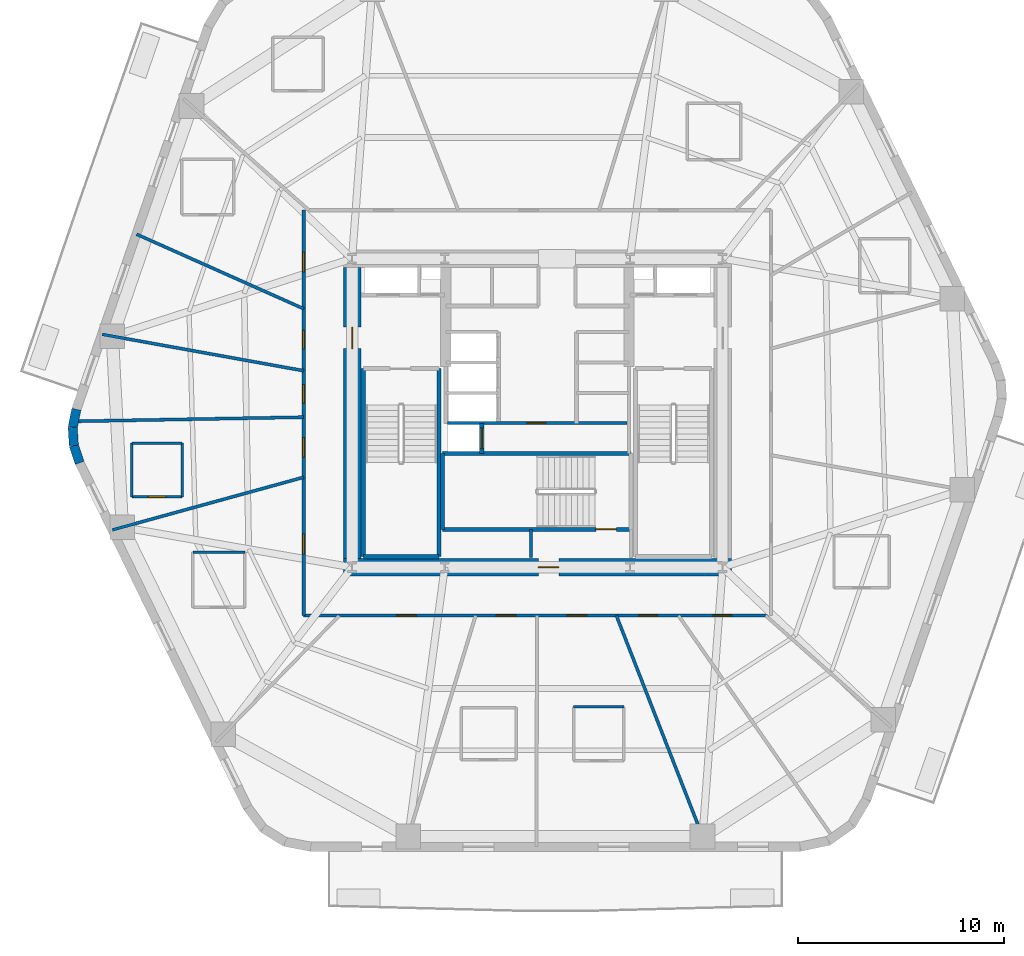
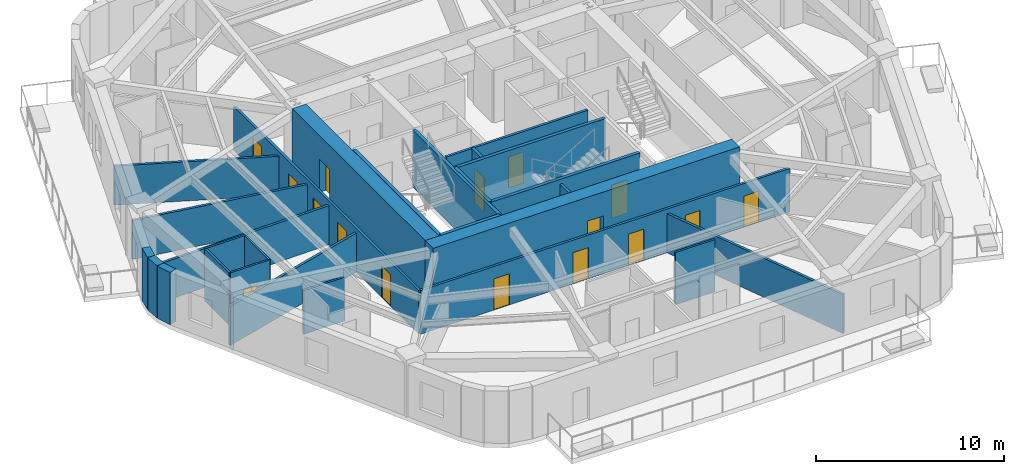
# One storey, part 3 of 8: 27 walls, 16 doors, 16 openings.
"""IFC4 building model written with IfcOpenShell, lengths in metres."""

from ifc_helpers import new_model, si_unit, direction, frame, frame_2d, origin, place, context, subcontext, project, spatial, rectangle, extrude, material, layer, layer_set, type_object, element, fill, save


model = new_model("IFC4")

# Units and contexts
model_context = context("Model", 3, precision=1e-05, world=origin(), true_north=direction((0.0, 1.0)))
body_context = subcontext(model_context, "Body", "Model", "MODEL_VIEW")
ifc_project = project(units=[si_unit("LENGTHUNIT", "METRE"), si_unit("AREAUNIT", "SQUARE_METRE"), si_unit("VOLUMEUNIT", "CUBIC_METRE"), si_unit("PLANEANGLEUNIT", "RADIAN"), si_unit("MASSUNIT", "GRAM", prefix="KILO")], contexts=[model_context])

# Site, building, storey
site_placement = place(None, origin())
site = spatial("IfcSite", under=ifc_project, at=site_placement, CompositionType="ELEMENT")
building_placement = place(site_placement, origin())
building = spatial("IfcBuilding", under=site, at=building_placement, Name="Kilnhurst Terrace Hotel", CompositionType="ELEMENT")
storey_placement = place(building_placement, frame((0.0, 0.0, 109.89990234375)))
storey = spatial("IfcBuildingStorey", under=building, at=storey_placement, Name="L26", CompositionType="ELEMENT", Elevation=109.89990234375)

# Walls
ifc_material_1 = material(Name="Precast concrete C40/50", Category="concrete")
ifc_layer_1 = layer(ifc_material_1, 0.449951171875, Name="Precast concrete C40/50")
ifc_layer_set_1 = layer_set([ifc_layer_1], Name="Precast concrete C40/50")
wall_type_1 = type_object("IfcWallType", Name="WL-BRK-450", PredefinedType="SOLIDWALL", material=ifc_layer_set_1)
wall_1_placement = place(storey_placement, frame((-22.39697265625, 0.17919921875, 0.0), z_axis=(0.0, 0.0, 1.0), x_axis=(-0.199313589404, -0.979935759669, 0.0)))
element("IfcWall", 1, at=wall_1_placement, inside=storey, type_object=wall_type_1, Name="L26 Rounded Corner Brick Wall C6.1", PredefinedType="SOLIDWALL", context=body_context, shape_type="SweptSolid", body=[
    extrude(rectangle(XDim=0.8955078125, YDim=0.449951171875, at=frame_2d((0.44775390625, 0.0))), origin(), (0.0, 0.0, 1.0), 3.400146484375),
])
wall_2_placement = place(storey_placement, frame((-22.575439453125, -0.6982421875, 0.0), z_axis=(0.0, 0.0, 1.0), x_axis=(0.060980441946, -0.998138961117, 0.0)))
element("IfcWall", 2, at=wall_2_placement, inside=storey, type_object=wall_type_1, Name="L26 Rounded Corner Brick Wall C6.2", PredefinedType="SOLIDWALL", context=body_context, shape_type="SweptSolid", body=[
    extrude(rectangle(XDim=0.880859375, YDim=0.449951171875, at=frame_2d((0.4404296875, 0.0))), origin(), (0.0, 0.0, 1.0), 3.400146484375),
])
wall_3_placement = place(storey_placement, frame((-22.521728515625, -1.577392578125, 0.0), z_axis=(0.0, 0.0, 1.0), x_axis=(0.317372694837, -0.948300887151, 0.0)))
element("IfcWall", 3, at=wall_3_placement, inside=storey, type_object=wall_type_1, Name="L26 Rounded Corner Brick Wall C6.3", PredefinedType="SOLIDWALL", context=body_context, shape_type="SweptSolid", body=[
    extrude(rectangle(XDim=0.8955078125, YDim=0.449951171875, at=frame_2d((0.44775390625, 0.0))), origin(), (0.0, 0.0, 1.0), 3.400146484375),
])

# Wall, openings, doors
ifc_material_2 = material(Name="Acoustic Double-Gypsum Corridor Partition Assembly")
ifc_layer_2 = layer(ifc_material_2, 0.14990234375, Name="Acoustic Double-Gypsum Corridor Partition Assembly")
ifc_layer_set_2 = layer_set([ifc_layer_2], Name="Acoustic Double-Gypsum Corridor Partition Assembly")
wall_type_2 = type_object("IfcWallType", Name="WL-COR-150", PredefinedType="PARTITIONING", material=ifc_layer_set_2)
wall_4_placement = place(storey_placement, frame((-11.35009765625, -9.85009765625, 0.0), z_axis=(0.0, 0.0, 1.0), x_axis=(0.0, 1.0, 0.0)))
wall_4 = element("IfcWall", 4, at=wall_4_placement, inside=storey, type_object=wall_type_2, Name="L26 Interior Wall WL-L26-COR-01", PredefinedType="PARTITIONING", context=body_context, shape_type="SweptSolid", body=[
    extrude(rectangle(XDim=19.7001953125, YDim=0.14990234375, at=frame_2d((9.85009765625, 0.0))), origin(), (0.0, 0.0, 1.0), 2.840087890625),
])
opening_1_placement = place(wall_4_placement, frame((16.7109375, 0.0, 0.0)))
opening_1 = element("IfcOpeningElement", 5, at=opening_1_placement, cuts=wall_4, Name="Opening D-60B", PredefinedType="OPENING", context=body_context, shape_type="SweptSolid", body=[
    extrude(rectangle(XDim=0.949951171875, YDim=2.030029296875, at=frame_2d((0.47509765625, 1.01513671875))), frame((0.0, 0.0849609375, 0.0), z_axis=(0.0, -1.0, 0.0), x_axis=(1.0, 0.0, 0.0)), (0.0, 0.0, 1.0), 0.169921875),
])
opening_2_placement = place(wall_4_placement, frame((12.968017578125, 0.0, 0.0)))
opening_2 = element("IfcOpeningElement", 6, at=opening_2_placement, cuts=wall_4, Name="Opening D-60C", PredefinedType="OPENING", context=body_context, shape_type="SweptSolid", body=[
    extrude(rectangle(XDim=0.89990234375, YDim=2.030029296875, at=frame_2d((0.449951171875, 1.01513671875))), frame((0.0, 0.0849609375, 0.0), z_axis=(0.0, -1.0, 0.0), x_axis=(1.0, 0.0, 0.0)), (0.0, 0.0, 1.0), 0.169921875),
])
opening_3_placement = place(wall_4_placement, frame((10.324951171875, 0.0, 0.0)))
opening_3 = element("IfcOpeningElement", 7, at=opening_3_placement, cuts=wall_4, Name="Opening D-60C", PredefinedType="OPENING", context=body_context, shape_type="SweptSolid", body=[
    extrude(rectangle(XDim=0.89990234375, YDim=2.030029296875, at=frame_2d((0.449951171875, 1.01513671875))), frame((0.0, 0.0849609375, 0.0), z_axis=(0.0, -1.0, 0.0), x_axis=(1.0, 0.0, 0.0)), (0.0, 0.0, 1.0), 0.169921875),
])
opening_4_placement = place(wall_4_placement, frame((7.7060546875, 0.0, 0.0)))
opening_4 = element("IfcOpeningElement", 8, at=opening_4_placement, cuts=wall_4, Name="Opening D-60B", PredefinedType="OPENING", context=body_context, shape_type="SweptSolid", body=[
    extrude(rectangle(XDim=0.949951171875, YDim=2.030029296875, at=frame_2d((0.47509765625, 1.01513671875))), frame((0.0, 0.0849609375, 0.0), z_axis=(0.0, -1.0, 0.0), x_axis=(1.0, 0.0, 0.0)), (0.0, 0.0, 1.0), 0.169921875),
])
opening_5_placement = place(wall_4_placement, frame((3.008056640625, 0.0, 0.0)))
opening_5 = element("IfcOpeningElement", 9, at=opening_5_placement, cuts=wall_4, Name="Opening D-60B", PredefinedType="OPENING", context=body_context, shape_type="SweptSolid", body=[
    extrude(rectangle(XDim=0.949951171875, YDim=2.030029296875, at=frame_2d((0.47509765625, 1.01513671875))), frame((0.0, 0.0849609375, 0.0), z_axis=(0.0, -1.0, 0.0), x_axis=(1.0, 0.0, 0.0)), (0.0, 0.0, 1.0), 0.169921875),
])
ifc_material_3 = material(Name="Painted Solid-Core Service Fire Door")
door_type_1 = type_object("IfcDoorType", Name="DR-FD60-900", OperationType="NOTDEFINED", PredefinedType="DOOR", material=ifc_material_3)
door_1_placement = place(opening_2_placement, origin())
door_1 = element("IfcDoor", 10, at=door_1_placement, inside=storey, type_object=door_type_1, Name="L26 Executive Work Office Door 7", OperationType="SINGLE_SWING_LEFT", OverallHeight=2.030029296875, OverallWidth=0.89990234375, PredefinedType="DOOR", context=body_context, shape_type="SweptSolid", body=[
    extrude(rectangle(XDim=0.89990234375, YDim=2.030029296875, at=frame_2d((0.449951171875, 1.01513671875))), frame((0.0, 0.02490234375, 0.0), z_axis=(0.0, -1.0, 0.0), x_axis=(1.0, 0.0, 0.0)), (0.0, 0.0, 1.0), 0.050048828125),
])
fill(opening_2, door_1)
door_2_placement = place(opening_3_placement, origin())
door_2 = element("IfcDoor", 11, at=door_2_placement, inside=storey, type_object=door_type_1, Name="L26 Botanical Reading Lounge Door 8", OperationType="SINGLE_SWING_RIGHT", OverallHeight=2.030029296875, OverallWidth=0.89990234375, PredefinedType="DOOR", context=body_context, shape_type="SweptSolid", body=[
    extrude(rectangle(XDim=0.89990234375, YDim=2.030029296875, at=frame_2d((0.449951171875, 1.01513671875))), frame((0.0, 0.02490234375, 0.0), z_axis=(0.0, -1.0, 0.0), x_axis=(1.0, 0.0, 0.0)), (0.0, 0.0, 1.0), 0.050048828125),
])
fill(opening_3, door_2)
ifc_material_4 = material(Name="Acoustic Walnut Veneer Solid-Core Fire Door")
door_type_2 = type_object("IfcDoorType", Name="DR-FD60-950", OperationType="NOTDEFINED", PredefinedType="DOOR", material=ifc_material_4)
door_3_placement = place(opening_1_placement, origin())
door_3 = element("IfcDoor", 12, at=door_3_placement, inside=storey, type_object=door_type_2, Name="L26 Guest Room Entry Door 6", OperationType="SINGLE_SWING_RIGHT", OverallHeight=2.030029296875, OverallWidth=0.949951171875, PredefinedType="DOOR", context=body_context, shape_type="SweptSolid", body=[
    extrude(rectangle(XDim=0.949951171875, YDim=2.030029296875, at=frame_2d((0.47509765625, 1.01513671875))), frame((0.0, 0.02490234375, 0.0), z_axis=(0.0, -1.0, 0.0), x_axis=(1.0, 0.0, 0.0)), (0.0, 0.0, 1.0), 0.050048828125),
])
fill(opening_1, door_3)
door_4_placement = place(opening_4_placement, origin())
door_4 = element("IfcDoor", 13, at=door_4_placement, inside=storey, type_object=door_type_2, Name="L26 Guest Room Entry Door 9", OperationType="SINGLE_SWING_LEFT", OverallHeight=2.030029296875, OverallWidth=0.949951171875, PredefinedType="DOOR", context=body_context, shape_type="SweptSolid", body=[
    extrude(rectangle(XDim=0.949951171875, YDim=2.030029296875, at=frame_2d((0.47509765625, 1.01513671875))), frame((0.0, 0.02490234375, 0.0), z_axis=(0.0, -1.0, 0.0), x_axis=(1.0, 0.0, 0.0)), (0.0, 0.0, 1.0), 0.050048828125),
])
fill(opening_4, door_4)
door_5_placement = place(opening_5_placement, origin())
door_5 = element("IfcDoor", 14, at=door_5_placement, inside=storey, type_object=door_type_2, Name="L26 Executive Suite Entry Door 10", OperationType="SINGLE_SWING_RIGHT", OverallHeight=2.030029296875, OverallWidth=0.949951171875, PredefinedType="DOOR", context=body_context, shape_type="SweptSolid", body=[
    extrude(rectangle(XDim=0.949951171875, YDim=2.030029296875, at=frame_2d((0.47509765625, 1.01513671875))), frame((0.0, 0.02490234375, 0.0), z_axis=(0.0, -1.0, 0.0), x_axis=(1.0, 0.0, 0.0)), (0.0, 0.0, 1.0), 0.050048828125),
])
fill(opening_5, door_5)

wall_5_placement = place(storey_placement, frame((11.35009765625, -9.85009765625, 0.0), z_axis=(0.0, 0.0, 1.0), x_axis=(-1.0, 0.0, 0.0)))
wall_5 = element("IfcWall", 15, at=wall_5_placement, inside=storey, type_object=wall_type_2, Name="L26 Interior Wall WL-L26-COR-04", PredefinedType="PARTITIONING", context=body_context, shape_type="SweptSolid", body=[
    extrude(rectangle(XDim=22.7001953125, YDim=0.14990234375, at=frame_2d((11.35009765625, 0.0))), origin(), (0.0, 0.0, 1.0), 2.840087890625),
])
opening_6_placement = place(wall_5_placement, frame((17.237060546875, 0.0, 0.0)))
opening_6 = element("IfcOpeningElement", 16, at=opening_6_placement, cuts=wall_5, Name="Opening D-60B", PredefinedType="OPENING", context=body_context, shape_type="SweptSolid", body=[
    extrude(rectangle(XDim=0.949951171875, YDim=2.030029296875, at=frame_2d((0.47509765625, 1.01513671875))), frame((0.0, 0.0849609375, 0.0), z_axis=(0.0, -1.0, 0.0), x_axis=(1.0, 0.0, 0.0)), (0.0, 0.0, 1.0), 0.169921875),
])
opening_7_placement = place(wall_5_placement, frame((12.389892578125, 0.0, 0.0)))
opening_7 = element("IfcOpeningElement", 17, at=opening_7_placement, cuts=wall_5, Name="Opening D-60B", PredefinedType="OPENING", context=body_context, shape_type="SweptSolid", body=[
    extrude(rectangle(XDim=0.949951171875, YDim=2.030029296875, at=frame_2d((0.47509765625, 1.01513671875))), frame((0.0, 0.0849609375, 0.0), z_axis=(0.0, -1.0, 0.0), x_axis=(1.0, 0.0, 0.0)), (0.0, 0.0, 1.0), 0.169921875),
])
opening_8_placement = place(wall_5_placement, frame((8.9541015625, 0.0, 0.0)))
opening_8 = element("IfcOpeningElement", 18, at=opening_8_placement, cuts=wall_5, Name="Opening D-60B", PredefinedType="OPENING", context=body_context, shape_type="SweptSolid", body=[
    extrude(rectangle(XDim=0.949951171875, YDim=2.030029296875, at=frame_2d((0.47509765625, 1.01513671875))), frame((0.0, 0.0849609375, 0.0), z_axis=(0.0, -1.0, 0.0), x_axis=(1.0, 0.0, 0.0)), (0.0, 0.0, 1.0), 0.169921875),
])
opening_9_placement = place(wall_5_placement, frame((5.52197265625, 0.0, 0.0)))
opening_9 = element("IfcOpeningElement", 19, at=opening_9_placement, cuts=wall_5, Name="Opening D-60C", PredefinedType="OPENING", context=body_context, shape_type="SweptSolid", body=[
    extrude(rectangle(XDim=0.89990234375, YDim=2.030029296875, at=frame_2d((0.449951171875, 1.01513671875))), frame((0.0, 0.0849609375, 0.0), z_axis=(0.0, -1.0, 0.0), x_axis=(1.0, 0.0, 0.0)), (0.0, 0.0, 1.0), 0.169921875),
])
opening_10_placement = place(wall_5_placement, frame((1.9140625, 0.0, 0.0)))
opening_10 = element("IfcOpeningElement", 20, at=opening_10_placement, cuts=wall_5, Name="Opening D-60C", PredefinedType="OPENING", context=body_context, shape_type="SweptSolid", body=[
    extrude(rectangle(XDim=0.89990234375, YDim=2.030029296875, at=frame_2d((0.449951171875, 1.01513671875))), frame((0.0, 0.0849609375, 0.0), z_axis=(0.0, -1.0, 0.0), x_axis=(1.0, 0.0, 0.0)), (0.0, 0.0, 1.0), 0.169921875),
])
door_6_placement = place(opening_9_placement, origin())
door_6 = element("IfcDoor", 21, at=door_6_placement, inside=storey, type_object=door_type_1, Name="L26 Private Meeting Salon Door 14", OperationType="SINGLE_SWING_RIGHT", OverallHeight=2.030029296875, OverallWidth=0.89990234375, PredefinedType="DOOR", context=body_context, shape_type="SweptSolid", body=[
    extrude(rectangle(XDim=0.89990234375, YDim=2.030029296875, at=frame_2d((0.449951171875, 1.01513671875))), frame((0.0, 0.02490234375, 0.0), z_axis=(0.0, -1.0, 0.0), x_axis=(1.0, 0.0, 0.0)), (0.0, 0.0, 1.0), 0.050048828125),
])
fill(opening_9, door_6)
door_7_placement = place(opening_10_placement, origin())
door_7 = element("IfcDoor", 22, at=door_7_placement, inside=storey, type_object=door_type_1, Name="L26 Wellness Consultation Room Door 15", OperationType="SINGLE_SWING_LEFT", OverallHeight=2.030029296875, OverallWidth=0.89990234375, PredefinedType="DOOR", context=body_context, shape_type="SweptSolid", body=[
    extrude(rectangle(XDim=0.89990234375, YDim=2.030029296875, at=frame_2d((0.449951171875, 1.01513671875))), frame((0.0, 0.02490234375, 0.0), z_axis=(0.0, -1.0, 0.0), x_axis=(1.0, 0.0, 0.0)), (0.0, 0.0, 1.0), 0.050048828125),
])
fill(opening_10, door_7)
door_8_placement = place(opening_6_placement, origin())
door_8 = element("IfcDoor", 23, at=door_8_placement, inside=storey, type_object=door_type_2, Name="L26 Fitness Movement Studio Door", OperationType="SINGLE_SWING_LEFT", OverallHeight=2.030029296875, OverallWidth=0.949951171875, PredefinedType="DOOR", context=body_context, shape_type="SweptSolid", body=[
    extrude(rectangle(XDim=0.949951171875, YDim=2.030029296875, at=frame_2d((0.47509765625, 1.01513671875))), frame((0.0, 0.02490234375, 0.0), z_axis=(0.0, -1.0, 0.0), x_axis=(1.0, 0.0, 0.0)), (0.0, 0.0, 1.0), 0.050048828125),
])
fill(opening_6, door_8)
door_9_placement = place(opening_7_placement, origin())
door_9 = element("IfcDoor", 24, at=door_9_placement, inside=storey, type_object=door_type_2, Name="L26 Guest Room Entry Door 12", OperationType="SINGLE_SWING_RIGHT", OverallHeight=2.030029296875, OverallWidth=0.949951171875, PredefinedType="DOOR", context=body_context, shape_type="SweptSolid", body=[
    extrude(rectangle(XDim=0.949951171875, YDim=2.030029296875, at=frame_2d((0.47509765625, 1.01513671875))), frame((0.0, 0.02490234375, 0.0), z_axis=(0.0, -1.0, 0.0), x_axis=(1.0, 0.0, 0.0)), (0.0, 0.0, 1.0), 0.050048828125),
])
fill(opening_7, door_9)
door_10_placement = place(opening_8_placement, origin())
door_10 = element("IfcDoor", 25, at=door_10_placement, inside=storey, type_object=door_type_2, Name="L26 Guest Room Entry Door 13", OperationType="SINGLE_SWING_LEFT", OverallHeight=2.030029296875, OverallWidth=0.949951171875, PredefinedType="DOOR", context=body_context, shape_type="SweptSolid", body=[
    extrude(rectangle(XDim=0.949951171875, YDim=2.030029296875, at=frame_2d((0.47509765625, 1.01513671875))), frame((0.0, 0.02490234375, 0.0), z_axis=(0.0, -1.0, 0.0), x_axis=(1.0, 0.0, 0.0)), (0.0, 0.0, 1.0), 0.050048828125),
])
fill(opening_8, door_10)

# Wall, opening, door
ifc_material_5 = material(Name="Concrete C80/95", Category="concrete")
ifc_layer_3 = layer(ifc_material_5, 0.85009765625, Name="Concrete C80/95")
ifc_layer_set_3 = layer_set([ifc_layer_3], Name="Concrete C80/95")
wall_type_3 = type_object("IfcWallType", Name="WL-CORE-850", PredefinedType="SHEAR", material=ifc_layer_set_3)
wall_6_placement = place(storey_placement, frame((-9.425048828125, -7.5, 0.0), z_axis=(0.0, 0.0, 1.0), x_axis=(1.0, 0.0, 0.0)))
wall_6 = element("IfcWall", 26, at=wall_6_placement, inside=storey, type_object=wall_type_3, Name="L26 Core South Shear Wall", PredefinedType="SHEAR", context=body_context, shape_type="SweptSolid", body=[
    extrude(rectangle(XDim=18.85009765625, YDim=0.85009765625, at=frame_2d((9.425048828125, 0.0))), origin(), (0.0, 0.0, 1.0), 3.7001953125),
])
opening_11_placement = place(wall_6_placement, frame((9.47509765625, 0.0, 0.0)))
opening_11 = element("IfcOpeningElement", 27, at=opening_11_placement, cuts=wall_6, Name="Opening D-90B", PredefinedType="OPENING", context=body_context, shape_type="SweptSolid", body=[
    extrude(rectangle(XDim=1.0, YDim=2.14990234375, at=frame_2d((0.5, 1.074951171875))), frame((0.0, 0.43505859375, 0.0), z_axis=(0.0, -1.0, 0.0), x_axis=(1.0, 0.0, 0.0)), (0.0, 0.0, 1.0), 0.8701171875),
])
ifc_material_6 = material(Name="Painted Hollow Metal Steel ASTM A36 Fire Door", Category="steel")
door_type_3 = type_object("IfcDoorType", Name="DR-FD90-1000", OperationType="NOTDEFINED", PredefinedType="DOOR", material=ifc_material_6)
door_11_placement = place(opening_11_placement, origin())
door_11 = element("IfcDoor", 28, at=door_11_placement, inside=storey, type_object=door_type_3, Name="L26 Stair ST-3 Corridor Door", OperationType="SINGLE_SWING_RIGHT", OverallHeight=2.14990234375, OverallWidth=1.0, PredefinedType="DOOR", context=body_context, shape_type="SweptSolid", body=[
    extrude(rectangle(XDim=1.0, YDim=2.14990234375, at=frame_2d((0.5, 1.074951171875))), frame((0.0, 0.02490234375, 0.0), z_axis=(0.0, -1.0, 0.0), x_axis=(1.0, 0.0, 0.0)), (0.0, 0.0, 1.0), 0.050048828125),
])
fill(opening_11, door_11)

wall_7_placement = place(storey_placement, frame((-9.0, -7.074951171875, 0.0), z_axis=(0.0, 0.0, 1.0), x_axis=(0.0, 1.0, 0.0)))
wall_7 = element("IfcWall", 29, at=wall_7_placement, inside=storey, type_object=wall_type_3, Name="L26 Core West Shear Wall", PredefinedType="SHEAR", context=body_context, shape_type="SweptSolid", body=[
    extrude(rectangle(XDim=14.14990234375, YDim=0.85009765625, at=frame_2d((7.074951171875, 0.0))), origin(), (0.0, 0.0, 1.0), 3.7001953125),
])
opening_12_placement = place(wall_7_placement, frame((10.199951171875, 0.0, 0.0)))
opening_12 = element("IfcOpeningElement", 30, at=opening_12_placement, cuts=wall_7, Name="Opening D-90A", PredefinedType="OPENING", context=body_context, shape_type="SweptSolid", body=[
    extrude(rectangle(XDim=1.050048828125, YDim=2.14990234375, at=frame_2d((0.52490234375, 1.074951171875))), frame((0.0, 0.43505859375, 0.0), z_axis=(0.0, -1.0, 0.0), x_axis=(1.0, 0.0, 0.0)), (0.0, 0.0, 1.0), 0.8701171875),
])
door_type_4 = type_object("IfcDoorType", Name="DR-FD90-1050", OperationType="NOTDEFINED", PredefinedType="DOOR", material=ifc_material_6)
door_12_placement = place(opening_12_placement, origin())
door_12 = element("IfcDoor", 31, at=door_12_placement, inside=storey, type_object=door_type_4, Name="L26 West Firefighting Lobby Door", OperationType="SINGLE_SWING_RIGHT", OverallHeight=2.14990234375, OverallWidth=1.050048828125, PredefinedType="DOOR", context=body_context, shape_type="SweptSolid", body=[
    extrude(rectangle(XDim=1.050048828125, YDim=2.14990234375, at=frame_2d((0.52490234375, 1.074951171875))), frame((0.0, 0.02490234375, 0.0), z_axis=(0.0, -1.0, 0.0), x_axis=(1.0, 0.0, 0.0)), (0.0, 0.0, 1.0), 0.050048828125),
])
fill(opening_12, door_12)

# Walls
ifc_material_7 = material(Name="STC-58 Acoustic Twin-Frame Guestroom Demising Partition")
ifc_layer_4 = layer(ifc_material_7, 0.14990234375, Name="STC-58 Acoustic Twin-Frame Guestroom Demising Partition")
ifc_layer_set_4 = layer_set([ifc_layer_4], Name="STC-58 Acoustic Twin-Frame Guestroom Demising Partition")
wall_type_4 = type_object("IfcWallType", Name="WL-DEM-150", PredefinedType="PARTITIONING", material=ifc_layer_set_4)
wall_8_placement = place(storey_placement, frame((-11.35009765625, 5.061767578125, 0.0), z_axis=(0.0, 0.0, 1.0), x_axis=(-0.91329663997, 0.407295037312, 0.0)))
element("IfcWall", 32, at=wall_8_placement, inside=storey, type_object=wall_type_4, Name="L26 Interior Wall WL-L26-DEM-MID05-07-1", PredefinedType="PARTITIONING", context=body_context, shape_type="SweptSolid", body=[
    extrude(rectangle(XDim=8.889404296875, YDim=0.14990234375, at=frame_2d((4.44482421875, 0.0))), origin(), (0.0, 0.0, 1.0), 2.5400390625),
])
wall_9_placement = place(storey_placement, frame((-11.35009765625, 2.05078125, 0.0), z_axis=(0.0, 0.0, 1.0), x_axis=(-0.984068313063, 0.177790762484, 0.0)))
element("IfcWall", 33, at=wall_9_placement, inside=storey, type_object=wall_type_4, Name="L26 Interior Wall WL-L26-DEM-COL06-08-1", PredefinedType="PARTITIONING", context=body_context, shape_type="SweptSolid", body=[
    extrude(rectangle(XDim=9.951416015625, YDim=0.14990234375, at=frame_2d((4.9755859375, 0.0))), origin(), (0.0, 0.0, 1.0), 2.5400390625),
])
wall_10_placement = place(storey_placement, frame((-11.35009765625, -0.205078125, 0.0), z_axis=(0.0, 0.0, 1.0), x_axis=(-0.999836907568, -0.018059852275, 0.0)))
element("IfcWall", 34, at=wall_10_placement, inside=storey, type_object=wall_type_4, Name="L26 Interior Wall WL-L26-DEM-MID06-09-1", PredefinedType="PARTITIONING", context=body_context, shape_type="SweptSolid", body=[
    extrude(rectangle(XDim=11.00390625, YDim=0.14990234375, at=frame_2d((5.501953125, 0.0))), origin(), (0.0, 0.0, 1.0), 2.5400390625),
])
wall_11_placement = place(storey_placement, frame((-11.35009765625, -3.123291015625, 0.0), z_axis=(0.0, 0.0, 1.0), x_axis=(-0.964151983214, -0.265350623261, 0.0)))
element("IfcWall", 35, at=wall_11_placement, inside=storey, type_object=wall_type_4, Name="L26 Interior Wall WL-L26-DEM-COL07-10-1", PredefinedType="PARTITIONING", context=body_context, shape_type="SweptSolid", body=[
    extrude(rectangle(XDim=9.64501953125, YDim=0.14990234375, at=frame_2d((4.822509765625, 0.0))), origin(), (0.0, 0.0, 1.0), 2.5400390625),
])
wall_12_placement = place(storey_placement, frame((3.84228515625, -9.85009765625, 0.0), z_axis=(0.0, 0.0, 1.0), x_axis=(0.363432685593, -0.931620460833, 0.0)))
element("IfcWall", 36, at=wall_12_placement, inside=storey, type_object=wall_type_4, Name="L26 Interior Wall WL-L26-DEM-COL10-14-1", PredefinedType="PARTITIONING", context=body_context, shape_type="SweptSolid", body=[
    extrude(rectangle(XDim=12.048828125, YDim=0.14990234375, at=frame_2d((6.0244140625, 0.0))), origin(), (0.0, 0.0, 1.0), 2.5400390625),
])

# Wall, opening, door
ifc_material_8 = material(Name="120 mm Moisture-Resistant Tile-Backed Bathroom Partition")
ifc_layer_5 = layer(ifc_material_8, 0.1201171875, Name="120 mm Moisture-Resistant Tile-Backed Bathroom Partition")
ifc_layer_set_5 = layer_set([ifc_layer_5], Name="120 mm Moisture-Resistant Tile-Backed Bathroom Partition")
wall_type_5 = type_object("IfcWallType", Name="WL-PART-120", PredefinedType="PARTITIONING", material=ifc_layer_set_5)
wall_13_placement = place(storey_placement, frame((-19.697998046875, -4.071044921875, 0.0), z_axis=(0.0, 0.0, 1.0), x_axis=(1.0, 0.0, 0.0)))
wall_13 = element("IfcWall", 37, at=wall_13_placement, inside=storey, type_object=wall_type_5, Name="L26 Interior Wall WL-L26-BTH-09-1", PredefinedType="PARTITIONING", context=body_context, shape_type="SweptSolid", body=[
    extrude(rectangle(XDim=2.43994140625, YDim=0.1201171875, at=frame_2d((1.219970703125, 0.0))), origin(), (0.0, 0.0, 1.0), 3.400146484375),
])
opening_13_placement = place(wall_13_placement, frame((0.794921875, 0.0, 0.0)))
opening_13 = element("IfcOpeningElement", 38, at=opening_13_placement, cuts=wall_13, Name="Opening D-08A", PredefinedType="OPENING", context=body_context, shape_type="SweptSolid", body=[
    extrude(rectangle(XDim=0.85009765625, YDim=2.030029296875, at=frame_2d((0.425048828125, 1.01513671875))), frame((0.0, 0.070068359375, 0.0), z_axis=(0.0, -1.0, 0.0), x_axis=(1.0, 0.0, 0.0)), (0.0, 0.0, 1.0), 0.14013671875),
])
ifc_material_9 = material(Name="Moisture-Resistant Lacquered En-suite Bathroom Door")
door_type_5 = type_object("IfcDoorType", Name="DR-INT-850", OperationType="NOTDEFINED", PredefinedType="DOOR", material=ifc_material_9)
door_13_placement = place(opening_13_placement, origin())
door_13 = element("IfcDoor", 39, at=door_13_placement, inside=storey, type_object=door_type_5, Name="L26 En-suite Bathroom Door 9", OperationType="SINGLE_SWING_RIGHT", OverallHeight=2.030029296875, OverallWidth=0.85009765625, PredefinedType="DOOR", context=body_context, shape_type="SweptSolid", body=[
    extrude(rectangle(XDim=0.85009765625, YDim=2.030029296875, at=frame_2d((0.425048828125, 1.01513671875))), frame((0.0, 0.02490234375, 0.0), z_axis=(0.0, -1.0, 0.0), x_axis=(1.0, 0.0, 0.0)), (0.0, 0.0, 1.0), 0.050048828125),
])
fill(opening_13, door_13)

# Walls
wall_14_placement = place(storey_placement, frame((-17.258056640625, -4.071044921875, 0.0), z_axis=(0.0, 0.0, 1.0), x_axis=(0.0, 1.0, 0.0)))
element("IfcWall", 40, at=wall_14_placement, inside=storey, type_object=wall_type_5, Name="L26 Interior Wall WL-L26-BTH-09-2", PredefinedType="PARTITIONING", context=body_context, shape_type="SweptSolid", body=[
    extrude(rectangle(XDim=2.610107421875, YDim=0.1201171875, at=frame_2d((1.30517578125, 0.0))), origin(), (0.0, 0.0, 1.0), 3.400146484375),
])
wall_15_placement = place(storey_placement, frame((-17.258056640625, -1.4609375, 0.0), z_axis=(0.0, 0.0, 1.0), x_axis=(-1.0, 0.0, 0.0)))
element("IfcWall", 41, at=wall_15_placement, inside=storey, type_object=wall_type_5, Name="L26 Interior Wall WL-L26-BTH-09-3", PredefinedType="PARTITIONING", context=body_context, shape_type="SweptSolid", body=[
    extrude(rectangle(XDim=2.43994140625, YDim=0.1201171875, at=frame_2d((1.219970703125, 0.0))), origin(), (0.0, 0.0, 1.0), 3.400146484375),
])
wall_16_placement = place(storey_placement, frame((-19.697998046875, -1.4609375, 0.0), z_axis=(0.0, 0.0, 1.0), x_axis=(0.0, -1.0, 0.0)))
element("IfcWall", 42, at=wall_16_placement, inside=storey, type_object=wall_type_5, Name="L26 Interior Wall WL-L26-BTH-09-4", PredefinedType="PARTITIONING", context=body_context, shape_type="SweptSolid", body=[
    extrude(rectangle(XDim=2.610107421875, YDim=0.1201171875, at=frame_2d((1.30517578125, 0.0))), origin(), (0.0, 0.0, 1.0), 3.400146484375),
])
wall_17_placement = place(storey_placement, frame((-14.215087890625, -6.764892578125, 0.0), z_axis=(0.0, 0.0, 1.0), x_axis=(-1.0, 0.0, 0.0)))
element("IfcWall", 43, at=wall_17_placement, inside=storey, type_object=wall_type_5, Name="L26 Interior Wall WL-L26-BTH-10-3", PredefinedType="PARTITIONING", context=body_context, shape_type="SweptSolid", body=[
    extrude(rectangle(XDim=2.52001953125, YDim=0.1201171875, at=frame_2d((1.260009765625, 0.0))), origin(), (0.0, 0.0, 1.0), 2.840087890625),
])
wall_18_placement = place(storey_placement, frame((4.20703125, -14.281982421875, 0.0), z_axis=(0.0, 0.0, 1.0), x_axis=(-1.0, 0.0, 0.0)))
element("IfcWall", 44, at=wall_18_placement, inside=storey, type_object=wall_type_5, Name="L26 Interior Wall WL-L26-BTH-13-3", PredefinedType="PARTITIONING", context=body_context, shape_type="SweptSolid", body=[
    extrude(rectangle(XDim=2.43994140625, YDim=0.1201171875, at=frame_2d((1.219970703125, 0.0))), origin(), (0.0, 0.0, 1.0), 3.400146484375),
])
ifc_material_10 = material(Name="Fire-Rated Gypsum Shaftliner Assembly")
ifc_layer_6 = layer(ifc_material_10, 0.14990234375, Name="Fire-Rated Gypsum Shaftliner Assembly")
ifc_layer_set_6 = layer_set([ifc_layer_6], Name="Fire-Rated Gypsum Shaftliner Assembly")
wall_type_6 = type_object("IfcWallType", Name="WL-SHAFT-150", PredefinedType="PARTITIONING", material=ifc_layer_set_6)
wall_19_placement = place(storey_placement, frame((-0.300048828125, -7.02001953125, 0.0), z_axis=(0.0, 0.0, 1.0), x_axis=(0.0, 1.0, 0.0)))
element("IfcWall", 45, at=wall_19_placement, inside=storey, type_object=wall_type_6, Name="L26 Interior Wall WL-L26-ST3-PSGW", PredefinedType="PARTITIONING", context=body_context, shape_type="SweptSolid", body=[
    extrude(rectangle(XDim=1.362060546875, YDim=0.14990234375, at=frame_2d((0.68115234375, 0.0))), origin(), (0.0, 0.0, 1.0), 3.400146484375),
])

# Wall, opening, door
wall_20_placement = place(storey_placement, frame((-4.360107421875, -0.489990234375, 0.0), z_axis=(0.0, 0.0, 1.0), x_axis=(1.0, 0.0, 0.0)))
wall_20 = element("IfcWall", 46, at=wall_20_placement, inside=storey, type_object=wall_type_6, Name="L26 Interior Wall WL-L26-BOH-N", PredefinedType="PARTITIONING", context=body_context, shape_type="SweptSolid", body=[
    extrude(rectangle(XDim=8.72021484375, YDim=0.14990234375, at=frame_2d((4.360107421875, 0.0))), origin(), (0.0, 0.0, 1.0), 3.400146484375),
])
opening_14_placement = place(wall_20_placement, frame((3.860107421875, 0.0, 0.0)))
opening_14 = element("IfcOpeningElement", 47, at=opening_14_placement, cuts=wall_20, Name="Opening D-60C", PredefinedType="OPENING", context=body_context, shape_type="SweptSolid", body=[
    extrude(rectangle(XDim=0.89990234375, YDim=2.030029296875, at=frame_2d((0.449951171875, 1.01513671875))), frame((0.0, 0.0849609375, 0.0), z_axis=(0.0, -1.0, 0.0), x_axis=(1.0, 0.0, 0.0)), (0.0, 0.0, 1.0), 0.169921875),
])
door_14_placement = place(opening_14_placement, origin())
door_14 = element("IfcDoor", 48, at=door_14_placement, inside=storey, type_object=door_type_1, Name="L26 Housekeeping Laundry Door", OperationType="SINGLE_SWING_LEFT", OverallHeight=2.030029296875, OverallWidth=0.89990234375, PredefinedType="DOOR", context=body_context, shape_type="SweptSolid", body=[
    extrude(rectangle(XDim=0.89990234375, YDim=2.030029296875, at=frame_2d((0.449951171875, 1.01513671875))), frame((0.0, 0.02490234375, 0.0), z_axis=(0.0, -1.0, 0.0), x_axis=(1.0, 0.0, 0.0)), (0.0, 0.0, 1.0), 0.050048828125),
])
fill(opening_14, door_14)

ifc_material_11 = material(Name="Autoclaved Aerated Concrete C30/37 and Gypsum Shaft Assembly", Category="concrete")
ifc_layer_7 = layer(ifc_material_11, 0.199951171875, Name="Autoclaved Aerated Concrete C30/37 and Gypsum Shaft Assembly")
ifc_layer_set_7 = layer_set([ifc_layer_7], Name="Autoclaved Aerated Concrete C30/37 and Gypsum Shaft Assembly")
wall_type_7 = type_object("IfcWallType", Name="WL-SHAFT-200", PredefinedType="PARTITIONING", material=ifc_layer_set_7)
wall_21_placement = place(storey_placement, frame((-2.699951171875, -1.971923828125, 0.0), z_axis=(0.0, 0.0, 1.0), x_axis=(0.0, 1.0, 0.0)))
wall_21 = element("IfcWall", 49, at=wall_21_placement, inside=storey, type_object=wall_type_7, Name="L26 Interior Wall WL-L26-SRV1-E", PredefinedType="PARTITIONING", context=body_context, shape_type="SweptSolid", body=[
    extrude(rectangle(XDim=1.471923828125, YDim=0.199951171875, at=frame_2d((0.73583984375, 0.0))), origin(), (0.0, 0.0, 1.0), 3.400146484375),
])
opening_15_placement = place(wall_21_placement, frame((0.239990234375, 0.0, 0.0)))
opening_15 = element("IfcOpeningElement", 50, at=opening_15_placement, cuts=wall_21, Name="Opening LD-SV", PredefinedType="OPENING", context=body_context, shape_type="SweptSolid", body=[
    extrude(rectangle(XDim=1.0, YDim=2.199951171875, at=frame_2d((0.5, 1.10009765625))), frame((0.0, 0.10986328125, 0.0), z_axis=(0.0, -1.0, 0.0), x_axis=(1.0, 0.0, 0.0)), (0.0, 0.0, 1.0), 0.219970703125),
])
ifc_material_12 = material(Name="Bronze-Anodized Stainless Steel AISI 316L Sliding Door", Category="steel")
door_type_6 = type_object("IfcDoorType", Name="DR-LIFT-1000", OperationType="NOTDEFINED", PredefinedType="DOOR", material=ifc_material_12)
door_15_placement = place(opening_15_placement, origin())
door_15 = element("IfcDoor", 51, at=door_15_placement, inside=storey, type_object=door_type_6, Name="L26 Service Lift SRV-1 Landing Door", OperationType="SLIDING_TO_LEFT", OverallHeight=2.199951171875, OverallWidth=1.0, PredefinedType="DOOR", context=body_context, shape_type="SweptSolid", body=[
    extrude(rectangle(XDim=1.0, YDim=2.199951171875, at=frame_2d((0.5, 1.10009765625))), frame((0.0, 0.02490234375, 0.0), z_axis=(0.0, -1.0, 0.0), x_axis=(1.0, 0.0, 0.0)), (0.0, 0.0, 1.0), 0.050048828125),
])
fill(opening_15, door_15)

# Walls
ifc_material_13 = material(Name="Concrete C50/60", Category="concrete")
ifc_layer_8 = layer(ifc_material_13, 0.199951171875, Name="Concrete C50/60")
ifc_layer_set_8 = layer_set([ifc_layer_8], Name="Concrete C50/60")
wall_type_8 = type_object("IfcWallType", Name="WL-STAIR-RC-200", PredefinedType="SHEAR", material=ifc_layer_set_8)
for number, where, z_axis, x_axis, name in (
    (52, (-8.4580078125, -6.985107421875, 0.0), (0.0, 0.0, 1.0), (0.0, 1.0, 0.0), "L26 Structural Stair Shaft Wall WL-L26-ST1-W"),
    (53, (-4.77197265625, -6.985107421875, 0.0), (0.0, 0.0, 1.0), (0.0, 1.0, 0.0), "L26 Structural Stair Shaft Wall WL-L26-ST1-E"),
):
    element("IfcWall", number, at=place(storey_placement, frame(where, z_axis=z_axis, x_axis=x_axis)), inside=storey, type_object=wall_type_8, Name=name, PredefinedType="SHEAR", context=body_context, shape_type="SweptSolid", body=[
        extrude(rectangle(XDim=9.14306640625, YDim=0.199951171875, at=frame_2d((4.571533203125, 0.0))), origin(), (0.0, 0.0, 1.0), 3.7001953125),
    ])
for number, where, z_axis, x_axis, name in (
    (54, (-8.4580078125, -6.985107421875, 0.0), (0.0, 0.0, 1.0), (1.0, 0.0, 0.0), "L26 Structural Stair Shaft Wall WL-L26-ST1-S"),
    (55, (-4.60791015625, -5.657958984375, 0.0), (0.0, 0.0, 1.0), (0.0, 1.0, 0.0), "L26 Structural Stair Shaft Wall WL-L26-ST3-W"),
):
    element("IfcWall", number, at=place(storey_placement, frame(where, z_axis=z_axis, x_axis=x_axis)), inside=storey, type_object=wall_type_8, Name=name, PredefinedType="SHEAR", context=body_context, shape_type="SweptSolid", body=[
        extrude(rectangle(XDim=3.68603515625, YDim=0.199951171875, at=frame_2d((1.843017578125, 0.0))), origin(), (0.0, 0.0, 1.0), 3.7001953125),
    ])

# Wall, opening, door
wall_22_placement = place(storey_placement, frame((-4.60791015625, -5.657958984375, 0.0), z_axis=(0.0, 0.0, 1.0), x_axis=(1.0, 0.0, 0.0)))
wall_22 = element("IfcWall", 56, at=wall_22_placement, inside=storey, type_object=wall_type_8, Name="L26 Structural Stair Shaft Wall WL-L26-ST3-S", PredefinedType="SHEAR", context=body_context, shape_type="SweptSolid", body=[
    extrude(rectangle(XDim=9.166015625, YDim=0.199951171875, at=frame_2d((4.5830078125, 0.0))), origin(), (0.0, 0.0, 1.0), 3.7001953125),
])
opening_16_placement = place(wall_22_placement, frame((7.449951171875, 0.0, 0.0)))
opening_16 = element("IfcOpeningElement", 57, at=opening_16_placement, cuts=wall_22, Name="Opening D-90B", PredefinedType="OPENING", context=body_context, shape_type="SweptSolid", body=[
    extrude(rectangle(XDim=1.0, YDim=2.14990234375, at=frame_2d((0.5, 1.074951171875))), frame((0.0, 0.10986328125, 0.0), z_axis=(0.0, -1.0, 0.0), x_axis=(1.0, 0.0, 0.0)), (0.0, 0.0, 1.0), 0.219970703125),
])
door_16_placement = place(opening_16_placement, origin())
door_16 = element("IfcDoor", 58, at=door_16_placement, inside=storey, type_object=door_type_3, Name="L26 Stair ST-3 Shaft Door", OperationType="SINGLE_SWING_LEFT", OverallHeight=2.14990234375, OverallWidth=1.0, PredefinedType="DOOR", context=body_context, shape_type="SweptSolid", body=[
    extrude(rectangle(XDim=1.0, YDim=2.14990234375, at=frame_2d((0.5, 1.074951171875))), frame((0.0, 0.02490234375, 0.0), z_axis=(0.0, -1.0, 0.0), x_axis=(1.0, 0.0, 0.0)), (0.0, 0.0, 1.0), 0.050048828125),
])
fill(opening_16, door_16)

# Wall
wall_23_placement = place(storey_placement, frame((-4.60791015625, -1.971923828125, 0.0), z_axis=(0.0, 0.0, 1.0), x_axis=(1.0, 0.0, 0.0)))
element("IfcWall", 59, at=wall_23_placement, inside=storey, type_object=wall_type_8, Name="L26 Structural Stair Shaft Wall WL-L26-ST3-N", PredefinedType="SHEAR", context=body_context, shape_type="SweptSolid", body=[
    extrude(rectangle(XDim=9.166015625, YDim=0.199951171875, at=frame_2d((4.5830078125, 0.0))), origin(), (0.0, 0.0, 1.0), 3.7001953125),
])

save(model, "model.ifc")
